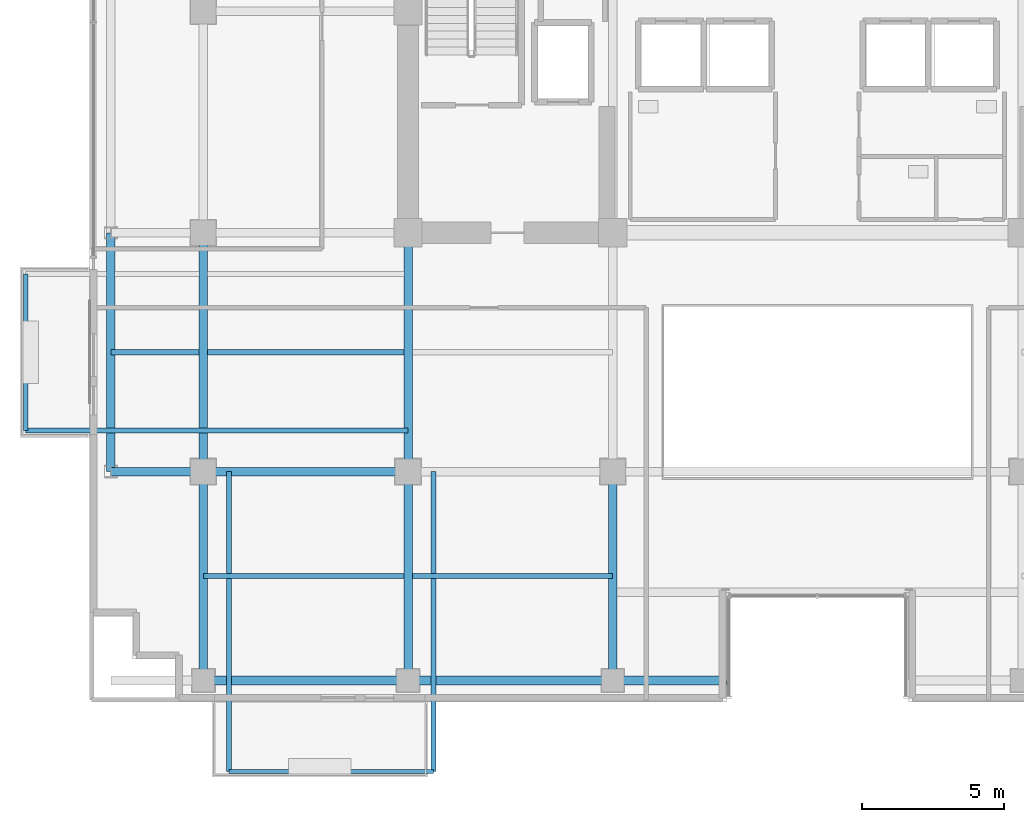
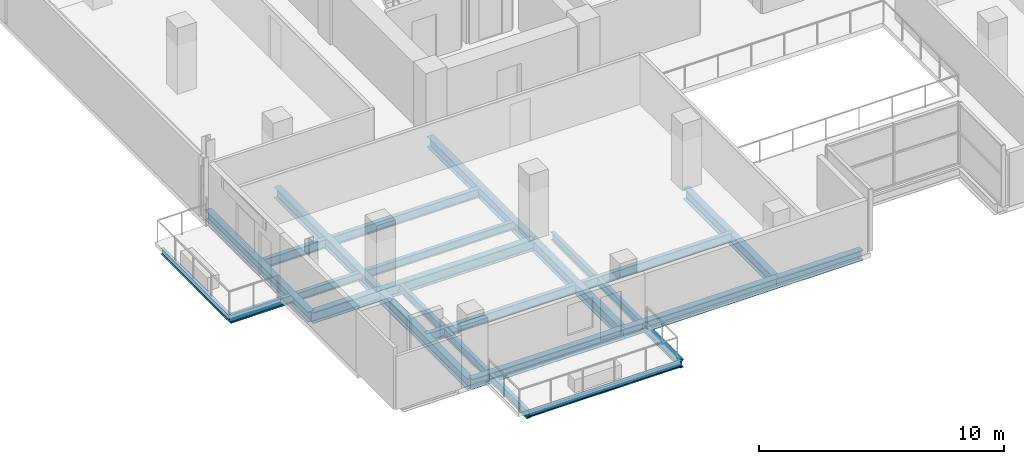
# One storey, part 2 of 23: 20 beams.
"""IFC4 building model written with IfcOpenShell, lengths in metres."""

from ifc_helpers import new_model, si_unit, direction, frame, origin, origin_2d, place, context, subcontext, project, spatial, i_section, extrude, material, material_profile, profile_set, type_object, element, save


model = new_model("IFC4")

# Units and contexts
model_context = context("Model", 3, precision=1e-05, world=origin(), true_north=direction((0.0, 1.0)))
body_context = subcontext(model_context, "Body", "Model", "MODEL_VIEW")
ifc_project = project(units=[si_unit("LENGTHUNIT", "METRE"), si_unit("AREAUNIT", "SQUARE_METRE"), si_unit("VOLUMEUNIT", "CUBIC_METRE"), si_unit("PLANEANGLEUNIT", "RADIAN"), si_unit("MASSUNIT", "GRAM", prefix="KILO")], contexts=[model_context])

# Site, building, storey
site_placement = place(None, origin())
site = spatial("IfcSite", under=ifc_project, at=site_placement, CompositionType="ELEMENT")
building_placement = place(site_placement, origin())
building = spatial("IfcBuilding", under=site, at=building_placement, Name="Zarnakvel Exchange Tower", CompositionType="ELEMENT")
storey_placement = place(building_placement, frame((0.0, 0.0, 129.699951171875)))
storey = spatial("IfcBuildingStorey", under=building, at=storey_placement, Name="L36", CompositionType="ELEMENT", Elevation=129.699951171875)

# Beams
ifc_material = material(Name="Steel S355", Category="steel")
ifc_material_profile_1 = material_profile(ifc_material, i_section(OverallWidth=0.18994140625, OverallDepth=0.449951171875, WebThickness=0.009521484375, FlangeThickness=0.0146484375, FilletRadius=0.02099609375, at=origin_2d()))
ifc_profile_set_1 = profile_set([ifc_material_profile_1], Name="Steel S355")
beam_type_1 = type_object("IfcBeamType", Name="B-05", PredefinedType="JOIST", material=ifc_profile_set_1)
for number, where, z_axis, x_axis, name in (
    (1, (-21.60009765625, -13.27490234375, -0.449951171875), (1.0, 0.0, 0.0), (0.0, 1.0, 0.0), "L36 Composite Floor Secondary Joist"),
    (2, (-14.25, -13.27490234375, -0.449951171875), (1.0, 0.0, 0.0), (0.0, 1.0, 0.0), "L36 Composite Floor Secondary Joist"),
):
    element("IfcBeam", number, at=place(storey_placement, frame(where, z_axis=z_axis, x_axis=x_axis)), inside=storey, type_object=beam_type_1, Name=name, PredefinedType="JOIST", context=body_context, shape_type="SweptSolid", body=[
        extrude(i_section(OverallWidth=0.18994140625, OverallDepth=0.449951171875, WebThickness=0.009521484375, FlangeThickness=0.0146484375, FilletRadius=0.02099609375, at=origin_2d()), origin(), (0.0, 0.0, 1.0), 7.050048828125),
    ])
beam_1_placement = place(storey_placement, frame((-24.85009765625, -5.39990234375, -0.449951171875), z_axis=(1.0, 0.0, 0.0), x_axis=(0.0, 1.0, 0.0)))
element("IfcBeam", 3, at=beam_1_placement, inside=storey, type_object=beam_type_1, Name="L36 Composite Floor Secondary Joist", PredefinedType="JOIST", context=body_context, shape_type="SweptSolid", body=[
    extrude(i_section(OverallWidth=0.18994140625, OverallDepth=0.449951171875, WebThickness=0.009521484375, FlangeThickness=0.0146484375, FilletRadius=0.02099609375, at=origin_2d()), origin(), (0.0, 0.0, 1.0), 3.10009765625),
])
beam_2_placement = place(storey_placement, frame((-21.449951171875, -5.39990234375, -0.449951171875), z_axis=(1.0, 0.0, 0.0), x_axis=(0.0, 1.0, 0.0)))
element("IfcBeam", 4, at=beam_2_placement, inside=storey, type_object=beam_type_1, Name="L36 Composite Floor Secondary Joist", PredefinedType="JOIST", context=body_context, shape_type="SweptSolid", body=[
    extrude(i_section(OverallWidth=0.18994140625, OverallDepth=0.449951171875, WebThickness=0.009521484375, FlangeThickness=0.0146484375, FilletRadius=0.02099609375, at=origin_2d()), origin(), (0.0, 0.0, 1.0), 6.89990234375),
])
ifc_material_profile_2 = material_profile(ifc_material, i_section(OverallWidth=0.179931640625, OverallDepth=0.39990234375, WebThickness=0.008544921875, FlangeThickness=0.013427734375, FilletRadius=0.02099609375, at=origin_2d()))
ifc_profile_set_2 = profile_set([ifc_material_profile_2], Name="Steel S355")
beam_type_2 = type_object("IfcBeamType", Name="B-06", PredefinedType="JOIST", material=ifc_profile_set_2)
for number, where, z_axis, x_axis, name in (
    (5, (-20.699951171875, -9.60009765625, -0.425048828125), (0.0, -1.0, 0.0), (1.0, 0.0, 0.0), "L36 Continuous Back-Spanned Balcony Beam W"),
    (6, (-13.5, -9.60009765625, -0.425048828125), (0.0, -1.0, 0.0), (1.0, 0.0, 0.0), "L36 Continuous Back-Spanned Balcony Beam E"),
):
    element("IfcBeam", number, at=place(storey_placement, frame(where, z_axis=z_axis, x_axis=x_axis)), inside=storey, type_object=beam_type_2, Name=name, PredefinedType="JOIST", context=body_context, shape_type="SweptSolid", body=[
        extrude(i_section(OverallWidth=0.179931640625, OverallDepth=0.39990234375, WebThickness=0.008544921875, FlangeThickness=0.013427734375, FilletRadius=0.02099609375, at=origin_2d()), origin(), (0.0, 0.0, 1.0), 10.5498046875),
    ])
beam_3_placement = place(storey_placement, frame((-14.39990234375, -8.14990234375, -0.425048828125), z_axis=(-1.0, 0.0, 0.0), x_axis=(0.0, -1.0, 0.0)))
element("IfcBeam", 7, at=beam_3_placement, inside=storey, type_object=beam_type_2, Name="L36 Continuous West Loggia Beam S", PredefinedType="JOIST", context=body_context, shape_type="SweptSolid", body=[
    extrude(i_section(OverallWidth=0.179931640625, OverallDepth=0.39990234375, WebThickness=0.008544921875, FlangeThickness=0.013427734375, FilletRadius=0.02099609375, at=origin_2d()), origin(), (0.0, 0.0, 1.0), 13.4501953125),
])
ifc_material_profile_3 = material_profile(ifc_material, i_section(OverallWidth=0.14990234375, OverallDepth=0.300048828125, WebThickness=0.007080078125, FlangeThickness=0.0107421875, FilletRadius=0.014892578125, at=origin_2d()))
ifc_profile_set_3 = profile_set([ifc_material_profile_3], Name="Steel S355")
beam_type_3 = type_object("IfcBeamType", Name="B-08", PredefinedType="JOIST", material=ifc_profile_set_3)
beam_4_placement = place(storey_placement, frame((-20.699951171875, -20.14990234375, -0.375), z_axis=(1.0, 0.0, 0.0), x_axis=(0.0, 1.0, 0.0)))
element("IfcBeam", 8, at=beam_4_placement, inside=storey, type_object=beam_type_3, Name="L36 Balcony Edge Beam", PredefinedType="JOIST", context=body_context, shape_type="SweptSolid", body=[
    extrude(i_section(OverallWidth=0.14990234375, OverallDepth=0.300048828125, WebThickness=0.007080078125, FlangeThickness=0.0107421875, FilletRadius=0.014892578125, at=origin_2d()), origin(), (0.0, 0.0, 1.0), 7.199951171875),
])
beam_5_placement = place(storey_placement, frame((-27.85009765625, -8.14990234375, -0.375), z_axis=(0.0, 1.0, 0.0), x_axis=(-1.0, 0.0, 0.0)))
element("IfcBeam", 9, at=beam_5_placement, inside=storey, type_object=beam_type_3, Name="L36 West Loggia Edge Beam", PredefinedType="JOIST", context=body_context, shape_type="SweptSolid", body=[
    extrude(i_section(OverallWidth=0.14990234375, OverallDepth=0.300048828125, WebThickness=0.007080078125, FlangeThickness=0.0107421875, FilletRadius=0.014892578125, at=origin_2d()), origin(), (0.0, 0.0, 1.0), 5.5),
])
ifc_material_profile_4 = material_profile(ifc_material, i_section(OverallWidth=0.300048828125, OverallDepth=0.550048828125, WebThickness=0.014892578125, FlangeThickness=0.029052734375, FilletRadius=0.027099609375, at=origin_2d()))
ifc_profile_set_4 = profile_set([ifc_material_profile_4], Name="Steel S355")
beam_type_4 = type_object("IfcBeamType", Name="G-05", PredefinedType="BEAM", material=ifc_profile_set_4)
beam_6_placement = place(storey_placement, frame((-24.85009765625, -9.60009765625, -0.5), z_axis=(1.0, 0.0, 0.0), x_axis=(0.0, 1.0, 0.0)))
element("IfcBeam", 10, at=beam_6_placement, inside=storey, type_object=beam_type_4, Name="L36 Tower E-W Frame Beam", PredefinedType="BEAM", context=body_context, shape_type="SweptSolid", body=[
    extrude(i_section(OverallWidth=0.300048828125, OverallDepth=0.550048828125, WebThickness=0.014892578125, FlangeThickness=0.029052734375, FilletRadius=0.027099609375, at=origin_2d()), origin(), (0.0, 0.0, 1.0), 3.25),
])
beam_7_placement = place(storey_placement, frame((-21.60009765625, -9.60009765625, -0.5), z_axis=(1.0, 0.0, 0.0), x_axis=(0.0, 1.0, 0.0)))
element("IfcBeam", 11, at=beam_7_placement, inside=storey, type_object=beam_type_4, Name="L36 Tower E-W Frame Beam", PredefinedType="BEAM", context=body_context, shape_type="SweptSolid", body=[
    extrude(i_section(OverallWidth=0.300048828125, OverallDepth=0.550048828125, WebThickness=0.014892578125, FlangeThickness=0.029052734375, FilletRadius=0.027099609375, at=origin_2d()), origin(), (0.0, 0.0, 1.0), 7.2001953125),
])
beam_8_placement = place(storey_placement, frame((-21.60009765625, -16.949951171875, -0.5), z_axis=(0.0, 1.0, 0.0), x_axis=(-1.0, 0.0, 0.0)))
element("IfcBeam", 12, at=beam_8_placement, inside=storey, type_object=beam_type_4, Name="L36 Tower N-S Frame Beam", PredefinedType="BEAM", context=body_context, shape_type="SweptSolid", body=[
    extrude(i_section(OverallWidth=0.300048828125, OverallDepth=0.550048828125, WebThickness=0.014892578125, FlangeThickness=0.029052734375, FilletRadius=0.027099609375, at=origin_2d()), origin(), (0.0, 0.0, 1.0), 7.349853515625),
])
beam_9_placement = place(storey_placement, frame((-21.60009765625, -9.60009765625, -0.5), z_axis=(0.0, 1.0, 0.0), x_axis=(-1.0, 0.0, 0.0)))
element("IfcBeam", 13, at=beam_9_placement, inside=storey, type_object=beam_type_4, Name="L36 Tower N-S Frame Beam", PredefinedType="BEAM", context=body_context, shape_type="SweptSolid", body=[
    extrude(i_section(OverallWidth=0.300048828125, OverallDepth=0.550048828125, WebThickness=0.014892578125, FlangeThickness=0.029052734375, FilletRadius=0.027099609375, at=origin_2d()), origin(), (0.0, 0.0, 1.0), 8.400146484375),
])
beam_10_placement = place(storey_placement, frame((-14.39990234375, -16.949951171875, -0.5), z_axis=(0.0, 1.0, 0.0), x_axis=(-1.0, 0.0, 0.0)))
element("IfcBeam", 14, at=beam_10_placement, inside=storey, type_object=beam_type_4, Name="L36 Tower N-S Frame Beam", PredefinedType="BEAM", context=body_context, shape_type="SweptSolid", body=[
    extrude(i_section(OverallWidth=0.300048828125, OverallDepth=0.550048828125, WebThickness=0.014892578125, FlangeThickness=0.029052734375, FilletRadius=0.027099609375, at=origin_2d()), origin(), (0.0, 0.0, 1.0), 7.349853515625),
])
beam_11_placement = place(storey_placement, frame((-14.39990234375, -9.60009765625, -0.5), z_axis=(0.0, 1.0, 0.0), x_axis=(-1.0, 0.0, 0.0)))
element("IfcBeam", 15, at=beam_11_placement, inside=storey, type_object=beam_type_4, Name="L36 Tower N-S Frame Beam", PredefinedType="BEAM", context=body_context, shape_type="SweptSolid", body=[
    extrude(i_section(OverallWidth=0.300048828125, OverallDepth=0.550048828125, WebThickness=0.014892578125, FlangeThickness=0.029052734375, FilletRadius=0.027099609375, at=origin_2d()), origin(), (0.0, 0.0, 1.0), 8.400146484375),
])
beam_12_placement = place(storey_placement, frame((-7.199951171875, -16.949951171875, -0.5), z_axis=(0.0, 1.0, 0.0), x_axis=(-1.0, 0.0, 0.0)))
element("IfcBeam", 16, at=beam_12_placement, inside=storey, type_object=beam_type_4, Name="L36 Tower N-S Frame Beam", PredefinedType="BEAM", context=body_context, shape_type="SweptSolid", body=[
    extrude(i_section(OverallWidth=0.300048828125, OverallDepth=0.550048828125, WebThickness=0.014892578125, FlangeThickness=0.029052734375, FilletRadius=0.027099609375, at=origin_2d()), origin(), (0.0, 0.0, 1.0), 7.349853515625),
])
ifc_material_profile_5 = material_profile(ifc_material, i_section(OverallWidth=0.300048828125, OverallDepth=0.5, WebThickness=0.014404296875, FlangeThickness=0.028076171875, FilletRadius=0.027099609375, at=origin_2d()))
ifc_profile_set_5 = profile_set([ifc_material_profile_5], Name="Steel S355")
beam_type_5 = type_object("IfcBeamType", Name="SP-02", PredefinedType="SPANDREL", material=ifc_profile_set_5)
beam_13_placement = place(storey_placement, frame((-21.60009765625, -16.949951171875, -0.474853515625), z_axis=(1.0, 0.0, 0.0), x_axis=(0.0, 1.0, 0.0)))
element("IfcBeam", 17, at=beam_13_placement, inside=storey, type_object=beam_type_5, Name="L36 Tower E-W Frame Beam", PredefinedType="SPANDREL", context=body_context, shape_type="SweptSolid", body=[
    extrude(i_section(OverallWidth=0.300048828125, OverallDepth=0.5, WebThickness=0.014404296875, FlangeThickness=0.028076171875, FilletRadius=0.027099609375, at=origin_2d()), origin(), (0.0, 0.0, 1.0), 7.2001953125),
])
beam_14_placement = place(storey_placement, frame((-14.39990234375, -16.949951171875, -0.474853515625), z_axis=(1.0, 0.0, 0.0), x_axis=(0.0, 1.0, 0.0)))
element("IfcBeam", 18, at=beam_14_placement, inside=storey, type_object=beam_type_5, Name="L36 Tower E-W Frame Beam", PredefinedType="SPANDREL", context=body_context, shape_type="SweptSolid", body=[
    extrude(i_section(OverallWidth=0.300048828125, OverallDepth=0.5, WebThickness=0.014404296875, FlangeThickness=0.028076171875, FilletRadius=0.027099609375, at=origin_2d()), origin(), (0.0, 0.0, 1.0), 7.199951171875),
])
beam_15_placement = place(storey_placement, frame((-7.199951171875, -16.949951171875, -0.474853515625), z_axis=(1.0, 0.0, 0.0), x_axis=(0.0, 1.0, 0.0)))
element("IfcBeam", 19, at=beam_15_placement, inside=storey, type_object=beam_type_5, Name="L36 South Slot West Jamb Spandrel", PredefinedType="SPANDREL", context=body_context, shape_type="SweptSolid", body=[
    extrude(i_section(OverallWidth=0.300048828125, OverallDepth=0.5, WebThickness=0.014404296875, FlangeThickness=0.028076171875, FilletRadius=0.027099609375, at=origin_2d()), origin(), (0.0, 0.0, 1.0), 4.0),
])
beam_16_placement = place(storey_placement, frame((-24.85009765625, -9.60009765625, -0.474853515625), z_axis=(0.0, 1.0, 0.0), x_axis=(-1.0, 0.0, 0.0)))
element("IfcBeam", 20, at=beam_16_placement, inside=storey, type_object=beam_type_5, Name="L36 Tower N-S Frame Beam", PredefinedType="SPANDREL", context=body_context, shape_type="SweptSolid", body=[
    extrude(i_section(OverallWidth=0.300048828125, OverallDepth=0.5, WebThickness=0.014404296875, FlangeThickness=0.028076171875, FilletRadius=0.027099609375, at=origin_2d()), origin(), (0.0, 0.0, 1.0), 8.400146484375),
])

save(model, "model.ifc")
